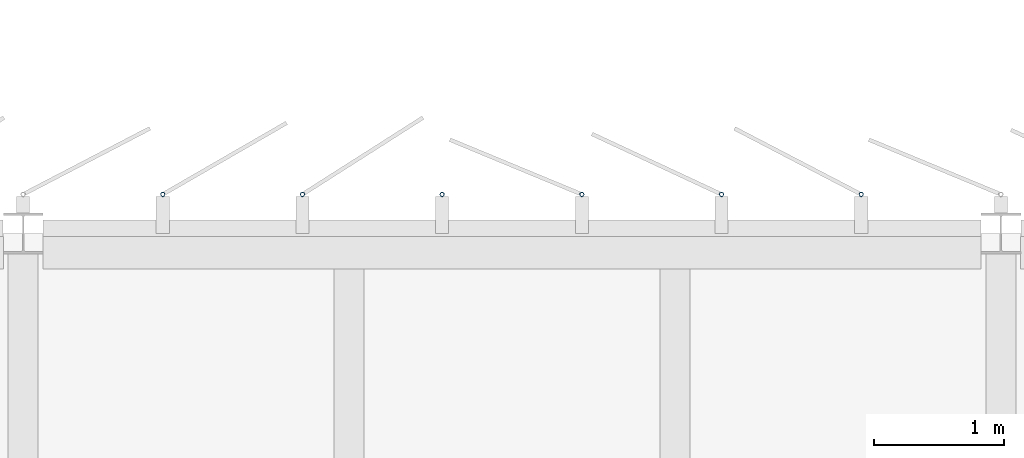
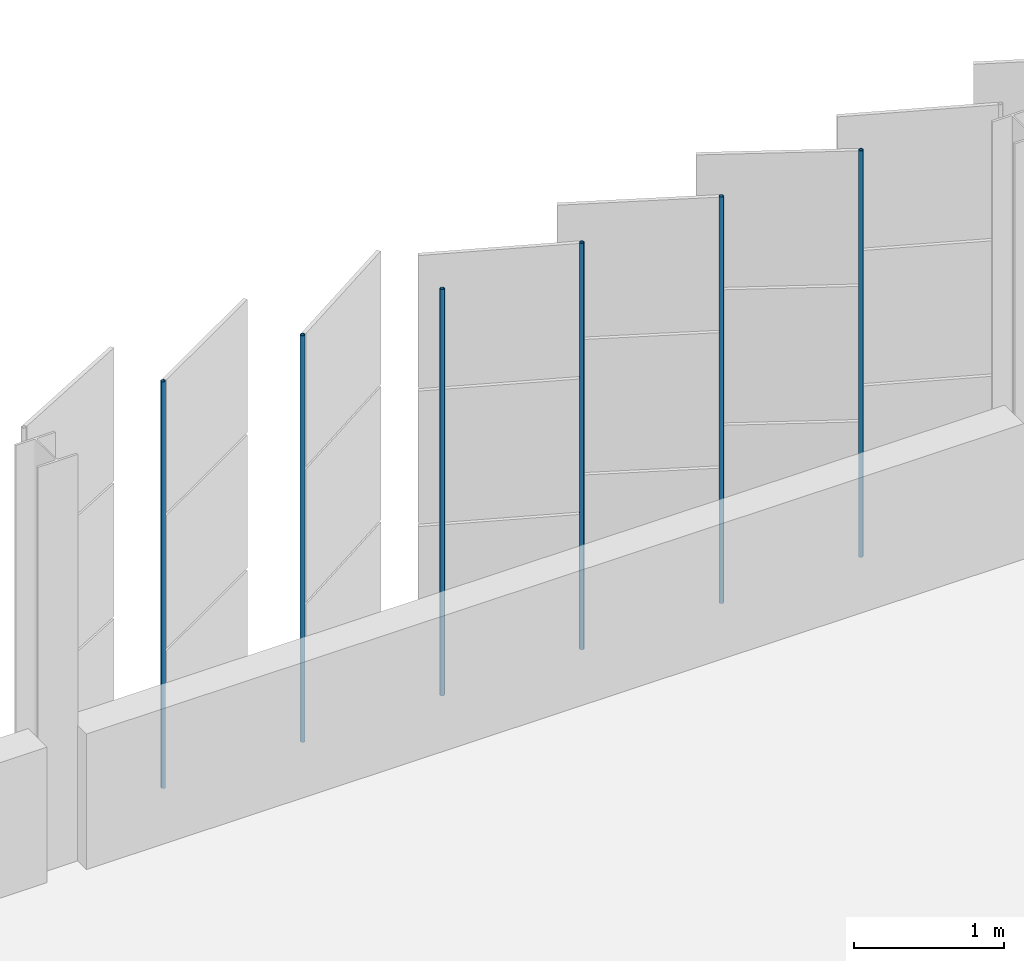
# One storey, part 166 of 214: 6 discrete accessories.
"""IFC4 building model written with IfcOpenShell, lengths in metres."""

from ifc_helpers import new_model, si_unit, direction, frame, origin, origin_2d, place, context, subcontext, project, spatial, hollow_circle, extrude, material, material_profile, profile_set, type_object, element, save


model = new_model("IFC4")

# Units and contexts
model_context = context("Model", 3, precision=1e-05, world=origin(), true_north=direction((0.0, 1.0)))
body_context = subcontext(model_context, "Body", "Model", "MODEL_VIEW")
ifc_project = project(units=[si_unit("LENGTHUNIT", "METRE"), si_unit("AREAUNIT", "SQUARE_METRE"), si_unit("VOLUMEUNIT", "CUBIC_METRE"), si_unit("PLANEANGLEUNIT", "RADIAN"), si_unit("MASSUNIT", "GRAM", prefix="KILO")], contexts=[model_context])

# Site, building, storey
site_placement = place(None, origin())
site = spatial("IfcSite", under=ifc_project, at=site_placement, CompositionType="ELEMENT")
building_placement = place(site_placement, origin())
building = spatial("IfcBuilding", under=site, at=building_placement, Name="Parallax Yard Mobility Hub", CompositionType="ELEMENT")
storey_placement = place(building_placement, frame((0.0, 0.0, 3.300048828125)))
storey = spatial("IfcBuildingStorey", under=building, at=storey_placement, Name="L01", CompositionType="ELEMENT", Elevation=3.300048828125)

# Discrete accessories
ifc_material = material(Name="Steel ASTM A500 Gr C, hot-dip galvanised", Category="steel")
ifc_material_profile = material_profile(ifc_material, hollow_circle(Radius=0.016845703125, WallThickness=0.003173828125, at=origin_2d()), Name="CHS 33.7x3.2")
ifc_profile_set = profile_set([ifc_material_profile], Name="Steel ASTM A500 Gr C, hot-dip galvanised")
discrete_accessory_type = type_object("IfcDiscreteAccessoryType", Name="Hinge post CHS 33.7x3.2", PredefinedType="BRACKET", material=ifc_profile_set)
for number, where, z_axis, x_axis, name in (
    (1, (156.428466796875, 142.800048828125, 0.0), (0.0, 0.0, 1.0), (1.0, 0.0, 0.0), "Hinge post bay 53.2 level L01"),
    (2, (155.35693359375, 142.800048828125, 0.0), (0.0, 0.0, 1.0), (1.0, 0.0, 0.0), "Hinge post bay 53.3 level L01"),
    (3, (154.285400390625, 142.800048828125, 0.0), (0.0, 0.0, 1.0), (1.0, 0.0, 0.0), "Hinge post bay 53.4 level L01"),
    (4, (153.2138671875, 142.800048828125, 0.0), (0.0, 0.0, 1.0), (1.0, 0.0, 0.0), "Hinge post bay 53.5 level L01"),
    (5, (152.142333984375, 142.800048828125, 0.0), (0.0, 0.0, 1.0), (1.0, 0.0, 0.0), "Hinge post bay 53.6 level L01"),
    (6, (151.07080078125, 142.800048828125, 0.0), (0.0, 0.0, 1.0), (1.0, 0.0, 0.0), "Hinge post bay 53.7 level L01"),
):
    element("IfcDiscreteAccessory", number, at=place(storey_placement, frame(where, z_axis=z_axis, x_axis=x_axis)), inside=storey, type_object=discrete_accessory_type, Name=name, PredefinedType="BRACKET", context=body_context, shape_type="SweptSolid", body=[
        extrude(hollow_circle(Radius=0.016845703125, WallThickness=0.003173828125, at=origin_2d()), origin(), (0.0, 0.0, 1.0), 3.300048828125),
    ])

save(model, "model.ifc")
